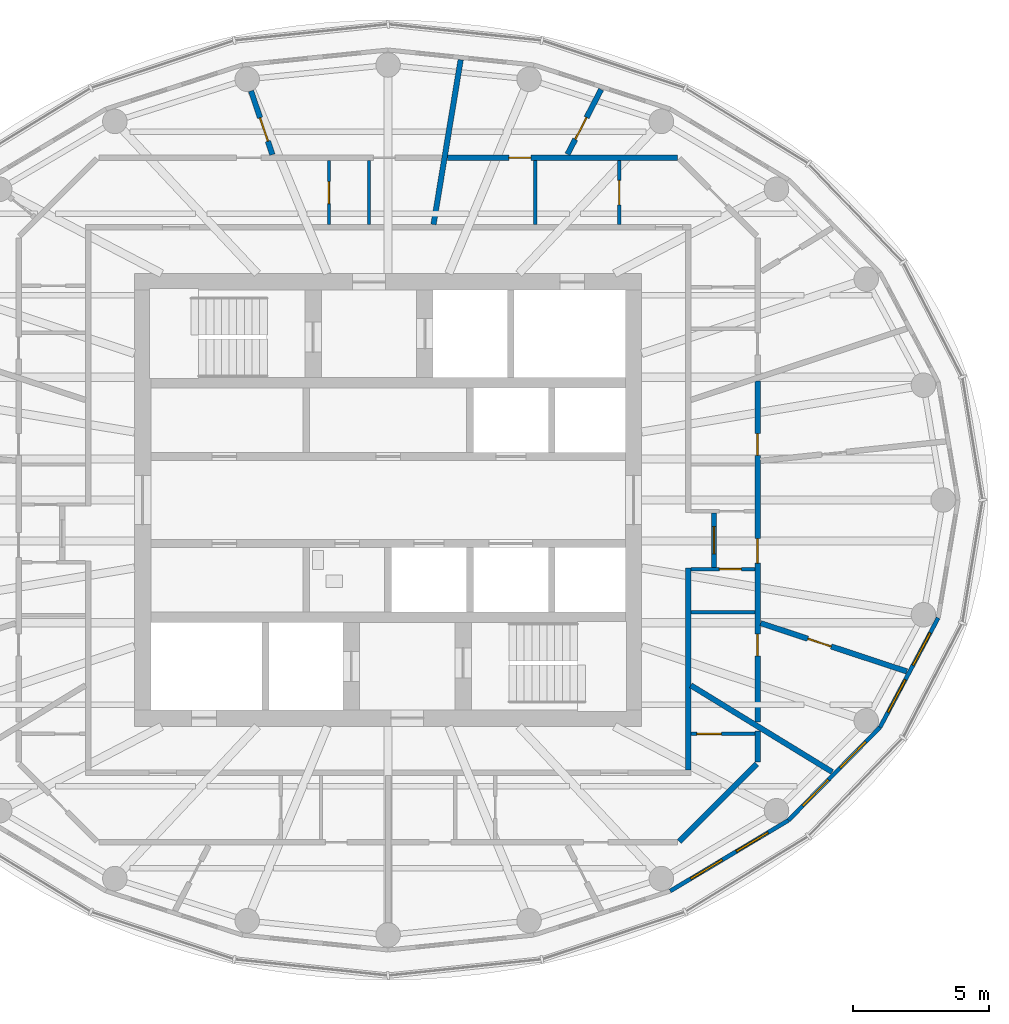
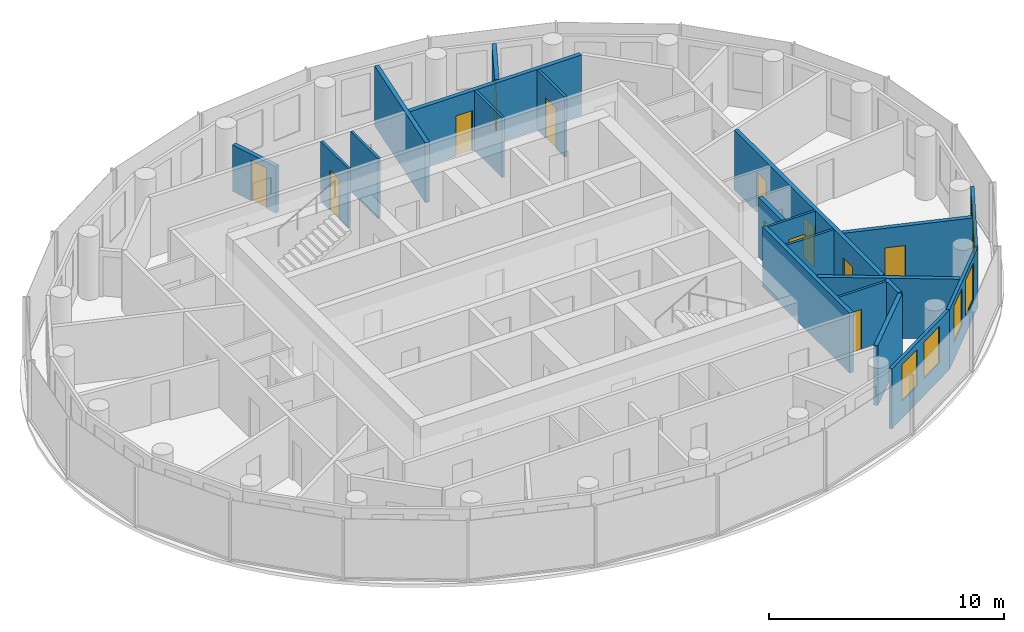
# One storey, part 8 of 12: 21 walls, 12 doors, 6 windows, 18 openings.
"""IFC4 building model written with IfcOpenShell, lengths in metres."""

from ifc_helpers import new_model, si_unit, direction, frame, frame_2d, origin, place, context, subcontext, project, spatial, rectangle, extrude, material, layer, layer_set, type_object, element, fill, save


model = new_model("IFC4")

# Units and contexts
model_context = context("Model", 3, precision=1e-05, world=origin(), true_north=direction((0.0, 1.0)))
body_context = subcontext(model_context, "Body", "Model", "MODEL_VIEW")
ifc_project = project(units=[si_unit("LENGTHUNIT", "METRE"), si_unit("AREAUNIT", "SQUARE_METRE"), si_unit("VOLUMEUNIT", "CUBIC_METRE"), si_unit("PLANEANGLEUNIT", "RADIAN"), si_unit("MASSUNIT", "GRAM", prefix="KILO")], contexts=[model_context])

# Site, building, storey
site_placement = place(None, origin())
site = spatial("IfcSite", under=ifc_project, at=site_placement, CompositionType="ELEMENT")
building_placement = place(site_placement, origin())
building = spatial("IfcBuilding", under=site, at=building_placement, Name="Hankou Lantern Tower", CompositionType="ELEMENT")
storey_placement = place(building_placement, frame((0.0, 0.0, 219.300048828125)))
storey = spatial("IfcBuildingStorey", under=building, at=storey_placement, Name="L59", CompositionType="ELEMENT", Elevation=219.300048828125)

# Wall, openings, windows
ifc_material_1 = material(Name="Aluminium spandrel panel on steel studs", Category="steel")
ifc_layer_1 = layer(ifc_material_1, 0.14990234375)
ifc_layer_set_1 = layer_set([ifc_layer_1], Name="Aluminium spandrel panel on steel studs")
wall_type_1 = type_object("IfcWallType", Name="EW1 INNER SKIN WALL 150", PredefinedType="ELEMENTEDWALL", material=ifc_layer_set_1)
wall_1_placement = place(storey_placement, frame((10.346435546875, -14.33642578125, 0.0), z_axis=(0.0, 0.0, 1.0), x_axis=(0.85822150553, 0.513279502265, 0.0)))
wall_1 = element("IfcWall", 1, at=wall_1_placement, inside=storey, type_object=wall_type_1, Name="Inner skin R21-R22 L59", PredefinedType="ELEMENTEDWALL", context=body_context, shape_type="SweptSolid", body=[
    extrude(rectangle(XDim=5.050048828125, YDim=0.14990234375, at=frame_2d((2.52490234375, 0.0))), origin(), (0.0, 0.0, 1.0), 3.119873046875),
])
opening_1_placement = place(wall_1_placement, frame((0.875, 0.0, 0.89990234375)))
opening_1 = element("IfcOpeningElement", 2, at=opening_1_placement, cuts=wall_1, Name="Opening W4", PredefinedType="OPENING", context=body_context, shape_type="SweptSolid", body=[
    extrude(rectangle(XDim=1.35009765625, YDim=1.89990234375, at=frame_2d((0.675048828125, 0.949951171875))), frame((0.0, 0.0849609375, 0.0), z_axis=(0.0, -1.0, 0.0), x_axis=(1.0, 0.0, 0.0)), (0.0, 0.0, 1.0), 0.169921875),
])
opening_2_placement = place(wall_1_placement, frame((2.824951171875, 0.0, 0.89990234375)))
opening_2 = element("IfcOpeningElement", 3, at=opening_2_placement, cuts=wall_1, Name="Opening W4", PredefinedType="OPENING", context=body_context, shape_type="SweptSolid", body=[
    extrude(rectangle(XDim=1.35009765625, YDim=1.89990234375, at=frame_2d((0.675048828125, 0.949951171875))), frame((0.0, 0.0849609375, 0.0), z_axis=(0.0, -1.0, 0.0), x_axis=(1.0, 0.0, 0.0)), (0.0, 0.0, 1.0), 0.169921875),
])
ifc_material_2 = material(Name="Aluminium framed double glazed window", Category="aluminium")
window_type = type_object("IfcWindowType", Name="W4 SUITE WINDOW 1350X1900", PartitioningType="DOUBLE_PANEL_VERTICAL", PredefinedType="WINDOW", material=ifc_material_2)
window_1_placement = place(opening_1_placement, origin())
window_1 = element("IfcWindow", 4, at=window_1_placement, inside=storey, type_object=window_type, Name="Window R21.1 L59", OverallHeight=1.89990234375, OverallWidth=1.35009765625, PartitioningType="SINGLE_PANEL", PredefinedType="WINDOW", context=body_context, shape_type="SweptSolid", body=[
    extrude(rectangle(XDim=1.35009765625, YDim=1.89990234375, at=frame_2d((0.675048828125, 0.949951171875))), frame((0.0, 0.030029296875, 0.0), z_axis=(0.0, -1.0, 0.0), x_axis=(1.0, 0.0, 0.0)), (0.0, 0.0, 1.0), 0.06005859375),
])
fill(opening_1, window_1)
window_2_placement = place(opening_2_placement, origin())
window_2 = element("IfcWindow", 5, at=window_2_placement, inside=storey, type_object=window_type, Name="Window R21.2 L59", OverallHeight=1.89990234375, OverallWidth=1.35009765625, PartitioningType="SINGLE_PANEL", PredefinedType="WINDOW", context=body_context, shape_type="SweptSolid", body=[
    extrude(rectangle(XDim=1.35009765625, YDim=1.89990234375, at=frame_2d((0.675048828125, 0.949951171875))), frame((0.0, 0.030029296875, 0.0), z_axis=(0.0, -1.0, 0.0), x_axis=(1.0, 0.0, 0.0)), (0.0, 0.0, 1.0), 0.06005859375),
])
fill(opening_2, window_2)

wall_2_placement = place(storey_placement, frame((14.680419921875, -11.744384765625, 0.0), z_axis=(0.0, 0.0, 1.0), x_axis=(0.701527379618, 0.712642501993, 0.0)))
wall_2 = element("IfcWall", 6, at=wall_2_placement, inside=storey, type_object=wall_type_1, Name="Inner skin R22-R23 L59", PredefinedType="ELEMENTEDWALL", context=body_context, shape_type="SweptSolid", body=[
    extrude(rectangle(XDim=4.788330078125, YDim=0.14990234375, at=frame_2d((2.39404296875, 0.0))), origin(), (0.0, 0.0, 1.0), 3.119873046875),
])
opening_3_placement = place(wall_2_placement, frame((0.744140625, 0.0, 0.89990234375)))
opening_3 = element("IfcOpeningElement", 7, at=opening_3_placement, cuts=wall_2, Name="Opening W4", PredefinedType="OPENING", context=body_context, shape_type="SweptSolid", body=[
    extrude(rectangle(XDim=1.35009765625, YDim=1.89990234375, at=frame_2d((0.675048828125, 0.949951171875))), frame((0.0, 0.0849609375, 0.0), z_axis=(0.0, -1.0, 0.0), x_axis=(1.0, 0.0, 0.0)), (0.0, 0.0, 1.0), 0.169921875),
])
opening_4_placement = place(wall_2_placement, frame((2.694091796875, 0.0, 0.89990234375)))
opening_4 = element("IfcOpeningElement", 8, at=opening_4_placement, cuts=wall_2, Name="Opening W4", PredefinedType="OPENING", context=body_context, shape_type="SweptSolid", body=[
    extrude(rectangle(XDim=1.35009765625, YDim=1.89990234375, at=frame_2d((0.675048828125, 0.949951171875))), frame((0.0, 0.0849609375, 0.0), z_axis=(0.0, -1.0, 0.0), x_axis=(1.0, 0.0, 0.0)), (0.0, 0.0, 1.0), 0.169921875),
])
window_3_placement = place(opening_3_placement, origin())
window_3 = element("IfcWindow", 9, at=window_3_placement, inside=storey, type_object=window_type, Name="Window R22.1 L59", OverallHeight=1.89990234375, OverallWidth=1.35009765625, PartitioningType="SINGLE_PANEL", PredefinedType="WINDOW", context=body_context, shape_type="SweptSolid", body=[
    extrude(rectangle(XDim=1.35009765625, YDim=1.89990234375, at=frame_2d((0.675048828125, 0.949951171875))), frame((0.0, 0.030029296875, 0.0), z_axis=(0.0, -1.0, 0.0), x_axis=(1.0, 0.0, 0.0)), (0.0, 0.0, 1.0), 0.06005859375),
])
fill(opening_3, window_3)
window_4_placement = place(opening_4_placement, origin())
window_4 = element("IfcWindow", 10, at=window_4_placement, inside=storey, type_object=window_type, Name="Window R22.2 L59", OverallHeight=1.89990234375, OverallWidth=1.35009765625, PartitioningType="SINGLE_PANEL", PredefinedType="WINDOW", context=body_context, shape_type="SweptSolid", body=[
    extrude(rectangle(XDim=1.35009765625, YDim=1.89990234375, at=frame_2d((0.675048828125, 0.949951171875))), frame((0.0, 0.030029296875, 0.0), z_axis=(0.0, -1.0, 0.0), x_axis=(1.0, 0.0, 0.0)), (0.0, 0.0, 1.0), 0.06005859375),
])
fill(opening_4, window_4)

wall_3_placement = place(storey_placement, frame((18.03955078125, -8.33203125, 0.0), z_axis=(0.0, 0.0, 1.0), x_axis=(0.469256152955, 0.883062094597, 0.0)))
wall_3 = element("IfcWall", 11, at=wall_3_placement, inside=storey, type_object=wall_type_1, Name="Inner skin R23-R24 L59", PredefinedType="ELEMENTEDWALL", context=body_context, shape_type="SweptSolid", body=[
    extrude(rectangle(XDim=4.539306640625, YDim=0.14990234375, at=frame_2d((2.26953125, 0.0))), origin(), (0.0, 0.0, 1.0), 3.119873046875),
])
opening_5_placement = place(wall_3_placement, frame((0.61962890625, 0.0, 0.89990234375)))
opening_5 = element("IfcOpeningElement", 12, at=opening_5_placement, cuts=wall_3, Name="Opening W4", PredefinedType="OPENING", context=body_context, shape_type="SweptSolid", body=[
    extrude(rectangle(XDim=1.35009765625, YDim=1.89990234375, at=frame_2d((0.675048828125, 0.949951171875))), frame((0.0, 0.0849609375, 0.0), z_axis=(0.0, -1.0, 0.0), x_axis=(1.0, 0.0, 0.0)), (0.0, 0.0, 1.0), 0.169921875),
])
opening_6_placement = place(wall_3_placement, frame((2.569580078125, 0.0, 0.89990234375)))
opening_6 = element("IfcOpeningElement", 13, at=opening_6_placement, cuts=wall_3, Name="Opening W4", PredefinedType="OPENING", context=body_context, shape_type="SweptSolid", body=[
    extrude(rectangle(XDim=1.35009765625, YDim=1.89990234375, at=frame_2d((0.675048828125, 0.949951171875))), frame((0.0, 0.0849609375, 0.0), z_axis=(0.0, -1.0, 0.0), x_axis=(1.0, 0.0, 0.0)), (0.0, 0.0, 1.0), 0.169921875),
])
window_5_placement = place(opening_5_placement, origin())
window_5 = element("IfcWindow", 14, at=window_5_placement, inside=storey, type_object=window_type, Name="Window R23.1 L59", OverallHeight=1.89990234375, OverallWidth=1.35009765625, PartitioningType="SINGLE_PANEL", PredefinedType="WINDOW", context=body_context, shape_type="SweptSolid", body=[
    extrude(rectangle(XDim=1.35009765625, YDim=1.89990234375, at=frame_2d((0.675048828125, 0.949951171875))), frame((0.0, 0.030029296875, 0.0), z_axis=(0.0, -1.0, 0.0), x_axis=(1.0, 0.0, 0.0)), (0.0, 0.0, 1.0), 0.06005859375),
])
fill(opening_5, window_5)
window_6_placement = place(opening_6_placement, origin())
window_6 = element("IfcWindow", 15, at=window_6_placement, inside=storey, type_object=window_type, Name="Window R23.2 L59", OverallHeight=1.89990234375, OverallWidth=1.35009765625, PartitioningType="SINGLE_PANEL", PredefinedType="WINDOW", context=body_context, shape_type="SweptSolid", body=[
    extrude(rectangle(XDim=1.35009765625, YDim=1.89990234375, at=frame_2d((0.675048828125, 0.949951171875))), frame((0.0, 0.030029296875, 0.0), z_axis=(0.0, -1.0, 0.0), x_axis=(1.0, 0.0, 0.0)), (0.0, 0.0, 1.0), 0.06005859375),
])
fill(opening_6, window_6)

# Walls
ifc_material_3 = material(Name="Masonry lightweight concrete block", Category="masonry")
ifc_layer_2 = layer(ifc_material_3, 0.199951171875)
ifc_layer_set_2 = layer_set([ifc_layer_2], Name="Masonry lightweight concrete block")
wall_type_2 = type_object("IfcWallType", Name="IW1 GUEST ROOM PARTY WALL 200", PredefinedType="PARTITIONING", material=ifc_layer_set_2)
wall_4_placement = place(storey_placement, frame((1.665771484375, 10.10009765625, 0.0), z_axis=(0.0, 0.0, 1.0), x_axis=(0.162710847913, 0.986673796131, 0.0)))
element("IfcWall", 16, at=wall_4_placement, inside=storey, type_object=wall_type_2, Name="Party wall R06-R07", PredefinedType="PARTITIONING", context=body_context, shape_type="SweptSolid", body=[
    extrude(rectangle(XDim=6.121826171875, YDim=0.199951171875, at=frame_2d((3.06103515625, 0.0))), origin(), (0.0, 0.0, 1.0), 3.119873046875),
])
wall_5_placement = place(storey_placement, frame((11.10009765625, -6.79736328125, 0.0), z_axis=(0.0, 0.0, 1.0), x_axis=(0.852799818179, -0.522237943963, 0.0)))
element("IfcWall", 17, at=wall_5_placement, inside=storey, type_object=wall_type_2, Name="Party wall R22-R23", PredefinedType="PARTITIONING", context=body_context, shape_type="SweptSolid", body=[
    extrude(rectangle(XDim=6.076904296875, YDim=0.199951171875, at=frame_2d((3.03857421875, 0.0))), origin(), (0.0, 0.0, 1.0), 3.119873046875),
])
ifc_material_4 = material(Name="Masonry lightweight concrete block", Category="masonry")
ifc_layer_3 = layer(ifc_material_4, 0.199951171875)
ifc_layer_set_3 = layer_set([ifc_layer_3], Name="Masonry lightweight concrete block")
wall_type_3 = type_object("IfcWallType", Name="IW2 CORRIDOR WALL 200", PredefinedType="PARTITIONING", material=ifc_layer_set_3)
wall_6_placement = place(storey_placement, frame((11.0, -9.89990234375, 0.0), z_axis=(0.0, 0.0, 1.0), x_axis=(0.0, 1.0, 0.0)))
element("IfcWall", 18, at=wall_6_placement, inside=storey, type_object=wall_type_3, Name="Corridor wall east", PredefinedType="PARTITIONING", context=body_context, shape_type="SweptSolid", body=[
    extrude(rectangle(XDim=7.41552734375, YDim=0.199951171875, at=frame_2d((3.707763671875, 0.0))), origin(), (0.0, 0.0, 1.0), 3.119873046875),
])

# Wall, opening, door
wall_7_placement = place(storey_placement, frame((11.949951171875, -2.474365234375, 0.0), z_axis=(0.0, 0.0, 1.0), x_axis=(0.0, 1.0, 0.0)))
wall_7 = element("IfcWall", 19, at=wall_7_placement, inside=storey, type_object=wall_type_3, Name="Suite entrance recess wall 5906", PredefinedType="PARTITIONING", context=body_context, shape_type="SweptSolid", body=[
    extrude(rectangle(XDim=2.0, YDim=0.199951171875, at=frame_2d((1.0, 0.0))), origin(), (0.0, 0.0, 1.0), 3.119873046875),
])
opening_7_placement = place(wall_7_placement, frame((0.5, 0.0, 0.0)))
opening_7 = element("IfcOpeningElement", 20, at=opening_7_placement, cuts=wall_7, Name="Opening D2", PredefinedType="OPENING", context=body_context, shape_type="SweptSolid", body=[
    extrude(rectangle(XDim=1.0, YDim=2.199951171875, at=frame_2d((0.5, 1.10009765625))), frame((0.0, 0.10986328125, 0.0), z_axis=(0.0, -1.0, 0.0), x_axis=(1.0, 0.0, 0.0)), (0.0, 0.0, 1.0), 0.219970703125),
])
ifc_material_5 = material(Name="Steel door leaf", Category="steel")
door_type_1 = type_object("IfcDoorType", Name="D2 SUITE DOOR 1000X2200", OperationType="SINGLE_SWING_LEFT", PredefinedType="DOOR", material=ifc_material_5)
door_1_placement = place(opening_7_placement, origin())
door_1 = element("IfcDoor", 21, at=door_1_placement, inside=storey, type_object=door_type_1, Name="Suite door 5906", OperationType="SINGLE_SWING_RIGHT", OverallHeight=2.199951171875, OverallWidth=1.0, PredefinedType="DOOR", context=body_context, shape_type="SweptSolid", body=[
    extrude(rectangle(XDim=1.0, YDim=2.199951171875, at=frame_2d((0.5, 1.10009765625))), frame((0.0, 0.02490234375, 0.0), z_axis=(0.0, -1.0, 0.0), x_axis=(1.0, 0.0, 0.0)), (0.0, 0.0, 1.0), 0.050048828125),
])
fill(opening_7, door_1)

ifc_material_6 = material(Name="Masonry lightweight concrete block", Category="masonry")
ifc_layer_4 = layer(ifc_material_6, 0.1201171875)
ifc_layer_set_4 = layer_set([ifc_layer_4], Name="Masonry lightweight concrete block")
wall_type_4 = type_object("IfcWallType", Name="IW3 BATHROOM WALL 120", PredefinedType="PARTITIONING", material=ifc_layer_set_4)
wall_8_placement = place(storey_placement, frame((8.474853515625, 10.10009765625, 0.0), z_axis=(0.0, 0.0, 1.0), x_axis=(0.0, 1.0, 0.0)))
wall_8 = element("IfcWall", 22, at=wall_8_placement, inside=storey, type_object=wall_type_4, Name="Box wall 5901 3", PredefinedType="PARTITIONING", context=body_context, shape_type="SweptSolid", body=[
    extrude(rectangle(XDim=2.349853515625, YDim=0.1201171875, at=frame_2d((1.1748046875, 0.0))), origin(), (0.0, 0.0, 1.0), 3.119873046875),
])
opening_8_placement = place(wall_8_placement, frame((0.719970703125, 0.0, 0.0)))
opening_8 = element("IfcOpeningElement", 23, at=opening_8_placement, cuts=wall_8, Name="Opening D27", PredefinedType="OPENING", context=body_context, shape_type="SweptSolid", body=[
    extrude(rectangle(XDim=0.89990234375, YDim=2.10009765625, at=frame_2d((0.449951171875, 1.050048828125))), frame((0.0, 0.070068359375, 0.0), z_axis=(0.0, -1.0, 0.0), x_axis=(1.0, 0.0, 0.0)), (0.0, 0.0, 1.0), 0.14013671875),
])
ifc_material_7 = material(Name="Timber door leaf", Category="wood")
door_type_2 = type_object("IfcDoorType", Name="D27 INTERNAL DOOR 900X2100", OperationType="SINGLE_SWING_LEFT", PredefinedType="DOOR", material=ifc_material_7)
door_2_placement = place(opening_8_placement, origin())
door_2 = element("IfcDoor", 24, at=door_2_placement, inside=storey, type_object=door_type_2, Name="Family suite 5901 walk-in wardrobe door", OperationType="SINGLE_SWING_LEFT", OverallHeight=2.10009765625, OverallWidth=0.89990234375, PredefinedType="DOOR", context=body_context, shape_type="SweptSolid", body=[
    extrude(rectangle(XDim=0.89990234375, YDim=2.10009765625, at=frame_2d((0.449951171875, 1.050048828125))), frame((0.0, 0.02490234375, 0.0), z_axis=(0.0, -1.0, 0.0), x_axis=(1.0, 0.0, 0.0)), (0.0, 0.0, 1.0), 0.050048828125),
])
fill(opening_8, door_2)

# Walls
for number, where, z_axis, x_axis, name in (
    (25, (5.392822265625, 10.10009765625, 0.0), (0.0, 0.0, 1.0), (0.0, 1.0, 0.0), "Box wall 5901 4"),
    (26, (-0.700439453125, 10.10009765625, 0.0), (0.0, 0.0, 1.0), (0.0, 1.0, 0.0), "Box wall 5902 1"),
):
    element("IfcWall", number, at=place(storey_placement, frame(where, z_axis=z_axis, x_axis=x_axis)), inside=storey, type_object=wall_type_4, Name=name, PredefinedType="PARTITIONING", context=body_context, shape_type="SweptSolid", body=[
        extrude(rectangle(XDim=2.349853515625, YDim=0.1201171875, at=frame_2d((1.1748046875, 0.0))), origin(), (0.0, 0.0, 1.0), 3.119873046875),
    ])

# Wall, opening, door
wall_9_placement = place(storey_placement, frame((-2.17041015625, 10.10009765625, 0.0), z_axis=(0.0, 0.0, 1.0), x_axis=(0.0, 1.0, 0.0)))
wall_9 = element("IfcWall", 27, at=wall_9_placement, inside=storey, type_object=wall_type_4, Name="Box wall 5902 2", PredefinedType="PARTITIONING", context=body_context, shape_type="SweptSolid", body=[
    extrude(rectangle(XDim=2.349853515625, YDim=0.1201171875, at=frame_2d((1.1748046875, 0.0))), origin(), (0.0, 0.0, 1.0), 3.119873046875),
])
opening_9_placement = place(wall_9_placement, frame((0.77001953125, 0.0, 0.0)))
opening_9 = element("IfcOpeningElement", 28, at=opening_9_placement, cuts=wall_9, Name="Opening D3", PredefinedType="OPENING", context=body_context, shape_type="SweptSolid", body=[
    extrude(rectangle(XDim=0.800048828125, YDim=2.10009765625, at=frame_2d((0.39990234375, 1.050048828125))), frame((0.0, 0.070068359375, 0.0), z_axis=(0.0, -1.0, 0.0), x_axis=(1.0, 0.0, 0.0)), (0.0, 0.0, 1.0), 0.14013671875),
])
ifc_material_8 = material(Name="Timber door leaf", Category="wood")
door_type_3 = type_object("IfcDoorType", Name="D3 BATHROOM DOOR 800X2100", OperationType="SINGLE_SWING_LEFT", PredefinedType="DOOR", material=ifc_material_8)
door_3_placement = place(opening_9_placement, origin())
door_3 = element("IfcDoor", 29, at=door_3_placement, inside=storey, type_object=door_type_3, Name="Family suite 5902 guest WC door", OperationType="SINGLE_SWING_LEFT", OverallHeight=2.10009765625, OverallWidth=0.800048828125, PredefinedType="DOOR", context=body_context, shape_type="SweptSolid", body=[
    extrude(rectangle(XDim=0.800048828125, YDim=2.10009765625, at=frame_2d((0.39990234375, 1.050048828125))), frame((0.0, 0.02490234375, 0.0), z_axis=(0.0, -1.0, 0.0), x_axis=(1.0, 0.0, 0.0)), (0.0, 0.0, 1.0), 0.050048828125),
])
fill(opening_9, door_3)

wall_10_placement = place(storey_placement, frame((11.10009765625, -8.57568359375, 0.0), z_axis=(0.0, 0.0, 1.0), x_axis=(1.0, 0.0, 0.0)))
wall_10 = element("IfcWall", 30, at=wall_10_placement, inside=storey, type_object=wall_type_4, Name="Box wall 5905 3", PredefinedType="PARTITIONING", context=body_context, shape_type="SweptSolid", body=[
    extrude(rectangle(XDim=2.349853515625, YDim=0.1201171875, at=frame_2d((1.1748046875, 0.0))), origin(), (0.0, 0.0, 1.0), 3.119873046875),
])
opening_10_placement = place(wall_10_placement, frame((0.219970703125, 0.0, 0.0)))
opening_10 = element("IfcOpeningElement", 31, at=opening_10_placement, cuts=wall_10, Name="Opening D27", PredefinedType="OPENING", context=body_context, shape_type="SweptSolid", body=[
    extrude(rectangle(XDim=0.89990234375, YDim=2.10009765625, at=frame_2d((0.449951171875, 1.050048828125))), frame((0.0, 0.070068359375, 0.0), z_axis=(0.0, -1.0, 0.0), x_axis=(1.0, 0.0, 0.0)), (0.0, 0.0, 1.0), 0.14013671875),
])
door_4_placement = place(opening_10_placement, origin())
door_4 = element("IfcDoor", 32, at=door_4_placement, inside=storey, type_object=door_type_2, Name="Suite 5905 walk-in wardrobe door", OperationType="SINGLE_SWING_LEFT", OverallHeight=2.10009765625, OverallWidth=0.89990234375, PredefinedType="DOOR", context=body_context, shape_type="SweptSolid", body=[
    extrude(rectangle(XDim=0.89990234375, YDim=2.10009765625, at=frame_2d((0.449951171875, 1.050048828125))), frame((0.0, 0.02490234375, 0.0), z_axis=(0.0, -1.0, 0.0), x_axis=(1.0, 0.0, 0.0)), (0.0, 0.0, 1.0), 0.050048828125),
])
fill(opening_10, door_4)

# Wall
wall_11_placement = place(storey_placement, frame((11.10009765625, -4.115234375, 0.0), z_axis=(0.0, 0.0, 1.0), x_axis=(1.0, 0.0, 0.0)))
element("IfcWall", 33, at=wall_11_placement, inside=storey, type_object=wall_type_4, Name="Box wall 5906 1", PredefinedType="PARTITIONING", context=body_context, shape_type="SweptSolid", body=[
    extrude(rectangle(XDim=2.349853515625, YDim=0.1201171875, at=frame_2d((1.1748046875, 0.0))), origin(), (0.0, 0.0, 1.0), 3.119873046875),
])

# Wall, opening, door
wall_12_placement = place(storey_placement, frame((11.10009765625, -2.534423828125, 0.0), z_axis=(0.0, 0.0, 1.0), x_axis=(1.0, 0.0, 0.0)))
wall_12 = element("IfcWall", 34, at=wall_12_placement, inside=storey, type_object=wall_type_4, Name="Box wall 5906 2", PredefinedType="PARTITIONING", context=body_context, shape_type="SweptSolid", body=[
    extrude(rectangle(XDim=2.349853515625, YDim=0.1201171875, at=frame_2d((1.1748046875, 0.0))), origin(), (0.0, 0.0, 1.0), 3.119873046875),
])
opening_11_placement = place(wall_12_placement, frame((1.050048828125, 0.0, 0.0)))
opening_11 = element("IfcOpeningElement", 35, at=opening_11_placement, cuts=wall_12, Name="Opening D3", PredefinedType="OPENING", context=body_context, shape_type="SweptSolid", body=[
    extrude(rectangle(XDim=0.800048828125, YDim=2.10009765625, at=frame_2d((0.39990234375, 1.050048828125))), frame((0.0, 0.070068359375, 0.0), z_axis=(0.0, -1.0, 0.0), x_axis=(1.0, 0.0, 0.0)), (0.0, 0.0, 1.0), 0.14013671875),
])
door_5_placement = place(opening_11_placement, origin())
door_5 = element("IfcDoor", 36, at=door_5_placement, inside=storey, type_object=door_type_3, Name="Family suite 5906 guest WC door", OperationType="SINGLE_SWING_LEFT", OverallHeight=2.10009765625, OverallWidth=0.800048828125, PredefinedType="DOOR", context=body_context, shape_type="SweptSolid", body=[
    extrude(rectangle(XDim=0.800048828125, YDim=2.10009765625, at=frame_2d((0.39990234375, 1.050048828125))), frame((0.0, 0.02490234375, 0.0), z_axis=(0.0, -1.0, 0.0), x_axis=(1.0, 0.0, 0.0)), (0.0, 0.0, 1.0), 0.050048828125),
])
fill(opening_11, door_5)

ifc_material_9 = material(Name="Masonry lightweight concrete block", Category="masonry")
ifc_layer_5 = layer(ifc_material_9, 0.199951171875)
ifc_layer_set_5 = layer_set([ifc_layer_5], Name="Masonry lightweight concrete block")
wall_type_5 = type_object("IfcWallType", Name="IW6 SUITE PARTITION 200", PredefinedType="PARTITIONING", material=ifc_layer_set_5)
wall_13_placement = place(storey_placement, frame((10.608642578125, 12.550048828125, 0.0), z_axis=(0.0, 0.0, 1.0), x_axis=(-1.0, 0.0, 0.0)))
wall_13 = element("IfcWall", 37, at=wall_13_placement, inside=storey, type_object=wall_type_5, Name="Suite foyer wall 5901", PredefinedType="PARTITIONING", context=body_context, shape_type="SweptSolid", body=[
    extrude(rectangle(XDim=8.4365234375, YDim=0.199951171875, at=frame_2d((4.21826171875, 0.0))), origin(), (0.0, 0.0, 1.0), 3.119873046875),
])
opening_12_placement = place(wall_13_placement, frame((5.375732421875, 0.0, 0.0)))
opening_12 = element("IfcOpeningElement", 38, at=opening_12_placement, cuts=wall_13, Name="Opening D3", PredefinedType="OPENING", context=body_context, shape_type="SweptSolid", body=[
    extrude(rectangle(XDim=0.800048828125, YDim=2.10009765625, at=frame_2d((0.39990234375, 1.050048828125))), frame((0.0, 0.10986328125, 0.0), z_axis=(0.0, -1.0, 0.0), x_axis=(1.0, 0.0, 0.0)), (0.0, 0.0, 1.0), 0.219970703125),
])
door_6_placement = place(opening_12_placement, origin())
door_6 = element("IfcDoor", 39, at=door_6_placement, inside=storey, type_object=door_type_3, Name="Family suite 5901 second bathroom door", OperationType="SINGLE_SWING_LEFT", OverallHeight=2.10009765625, OverallWidth=0.800048828125, PredefinedType="DOOR", context=body_context, shape_type="SweptSolid", body=[
    extrude(rectangle(XDim=0.800048828125, YDim=2.10009765625, at=frame_2d((0.39990234375, 1.050048828125))), frame((0.0, 0.02490234375, 0.0), z_axis=(0.0, -1.0, 0.0), x_axis=(1.0, 0.0, 0.0)), (0.0, 0.0, 1.0), 0.050048828125),
])
fill(opening_12, door_6)

wall_14_placement = place(storey_placement, frame((6.578125, 12.676513671875, 0.0), z_axis=(0.0, 0.0, 1.0), x_axis=(0.460620531465, 0.887597164255, 0.0)))
wall_14 = element("IfcWall", 40, at=wall_14_placement, inside=storey, type_object=wall_type_5, Name="Suite partition R05-R06", PredefinedType="PARTITIONING", context=body_context, shape_type="SweptSolid", body=[
    extrude(rectangle(XDim=2.677734375, YDim=0.199951171875, at=frame_2d((1.3388671875, 0.0))), origin(), (0.0, 0.0, 1.0), 3.119873046875),
])
opening_13_placement = place(wall_14_placement, frame((0.6201171875, 0.0, 0.0)))
opening_13 = element("IfcOpeningElement", 41, at=opening_13_placement, cuts=wall_14, Name="Opening D27", PredefinedType="OPENING", context=body_context, shape_type="SweptSolid", body=[
    extrude(rectangle(XDim=0.89990234375, YDim=2.10009765625, at=frame_2d((0.449951171875, 1.050048828125))), frame((0.0, 0.10986328125, 0.0), z_axis=(0.0, -1.0, 0.0), x_axis=(1.0, 0.0, 0.0)), (0.0, 0.0, 1.0), 0.219970703125),
])
door_7_placement = place(opening_13_placement, origin())
door_7 = element("IfcDoor", 42, at=door_7_placement, inside=storey, type_object=door_type_2, Name="Family suite 5901 second bedroom door", OperationType="SINGLE_SWING_LEFT", OverallHeight=2.10009765625, OverallWidth=0.89990234375, PredefinedType="DOOR", context=body_context, shape_type="SweptSolid", body=[
    extrude(rectangle(XDim=0.89990234375, YDim=2.10009765625, at=frame_2d((0.449951171875, 1.050048828125))), frame((0.0, 0.02490234375, 0.0), z_axis=(0.0, -1.0, 0.0), x_axis=(1.0, 0.0, 0.0)), (0.0, 0.0, 1.0), 0.050048828125),
])
fill(opening_13, door_7)

wall_15_placement = place(storey_placement, frame((-4.24169921875, 12.664306640625, 0.0), z_axis=(0.0, 0.0, 1.0), x_axis=(-0.317594928911, 0.948226481981, 0.0)))
wall_15 = element("IfcWall", 43, at=wall_15_placement, inside=storey, type_object=wall_type_5, Name="Suite partition R08", PredefinedType="PARTITIONING", context=body_context, shape_type="SweptSolid", body=[
    extrude(rectangle(XDim=2.463623046875, YDim=0.199951171875, at=frame_2d((1.23193359375, 0.0))), origin(), (0.0, 0.0, 1.0), 2.419921875),
])
opening_14_placement = place(wall_15_placement, frame((0.52001953125, 0.0, 0.0)))
opening_14 = element("IfcOpeningElement", 44, at=opening_14_placement, cuts=wall_15, Name="Opening D27", PredefinedType="OPENING", context=body_context, shape_type="SweptSolid", body=[
    extrude(rectangle(XDim=0.89990234375, YDim=2.10009765625, at=frame_2d((0.449951171875, 1.050048828125))), frame((0.0, 0.10986328125, 0.0), z_axis=(0.0, -1.0, 0.0), x_axis=(1.0, 0.0, 0.0)), (0.0, 0.0, 1.0), 0.219970703125),
])
door_8_placement = place(opening_14_placement, origin())
door_8 = element("IfcDoor", 45, at=door_8_placement, inside=storey, type_object=door_type_2, Name="Family suite 5902 bedroom door", OperationType="SINGLE_SWING_LEFT", OverallHeight=2.10009765625, OverallWidth=0.89990234375, PredefinedType="DOOR", context=body_context, shape_type="SweptSolid", body=[
    extrude(rectangle(XDim=0.89990234375, YDim=2.10009765625, at=frame_2d((0.449951171875, 1.050048828125))), frame((0.0, 0.02490234375, 0.0), z_axis=(0.0, -1.0, 0.0), x_axis=(1.0, 0.0, 0.0)), (0.0, 0.0, 1.0), 0.050048828125),
])
fill(opening_14, door_8)

# Walls
wall_16_placement = place(storey_placement, frame((10.67919921875, -12.520751953125, 0.0), z_axis=(0.0, 0.0, 1.0), x_axis=(0.707106781187, 0.707106781187, 0.0)))
element("IfcWall", 46, at=wall_16_placement, inside=storey, type_object=wall_type_5, Name="Suite foyer wall 5905", PredefinedType="PARTITIONING", context=body_context, shape_type="SweptSolid", body=[
    extrude(rectangle(XDim=4.0185546875, YDim=0.199951171875, at=frame_2d((2.00927734375, 0.0))), origin(), (0.0, 0.0, 1.0), 3.119873046875),
])
wall_17_placement = place(storey_placement, frame((13.550048828125, -9.608642578125, 0.0), z_axis=(0.0, 0.0, 1.0), x_axis=(0.0, 1.0, 0.0)))
element("IfcWall", 47, at=wall_17_placement, inside=storey, type_object=wall_type_5, Name="Suite foyer wall 5905", PredefinedType="PARTITIONING", context=body_context, shape_type="SweptSolid", body=[
    extrude(rectangle(XDim=1.147705078125, YDim=0.199951171875, at=frame_2d((0.57373046875, 0.0))), origin(), (0.0, 0.0, 1.0), 3.119873046875),
])

# Wall, openings, doors
wall_18_placement = place(storey_placement, frame((13.550048828125, -8.13916015625, 0.0), z_axis=(0.0, 0.0, 1.0), x_axis=(0.0, 1.0, 0.0)))
wall_18 = element("IfcWall", 48, at=wall_18_placement, inside=storey, type_object=wall_type_5, Name="Suite foyer wall 5906", PredefinedType="PARTITIONING", context=body_context, shape_type="SweptSolid", body=[
    extrude(rectangle(XDim=12.496337890625, YDim=0.199951171875, at=frame_2d((6.248046875, 0.0))), origin(), (0.0, 0.0, 1.0), 3.119873046875),
])
opening_15_placement = place(wall_18_placement, frame((2.419921875, 0.0, 0.0)))
opening_15 = element("IfcOpeningElement", 49, at=opening_15_placement, cuts=wall_18, Name="Opening D3", PredefinedType="OPENING", context=body_context, shape_type="SweptSolid", body=[
    extrude(rectangle(XDim=0.800048828125, YDim=2.10009765625, at=frame_2d((0.39990234375, 1.050048828125))), frame((0.0, 0.10986328125, 0.0), z_axis=(0.0, -1.0, 0.0), x_axis=(1.0, 0.0, 0.0)), (0.0, 0.0, 1.0), 0.219970703125),
])
opening_16_placement = place(wall_18_placement, frame((9.775634765625, 0.0, 0.0)))
opening_16 = element("IfcOpeningElement", 50, at=opening_16_placement, cuts=wall_18, Name="Opening D3", PredefinedType="OPENING", context=body_context, shape_type="SweptSolid", body=[
    extrude(rectangle(XDim=0.800048828125, YDim=2.10009765625, at=frame_2d((0.39990234375, 1.050048828125))), frame((0.0, 0.10986328125, 0.0), z_axis=(0.0, -1.0, 0.0), x_axis=(1.0, 0.0, 0.0)), (0.0, 0.0, 1.0), 0.219970703125),
])
opening_17_placement = place(wall_18_placement, frame((5.820068359375, 0.0, 0.0)))
opening_17 = element("IfcOpeningElement", 51, at=opening_17_placement, cuts=wall_18, Name="Opening D27", PredefinedType="OPENING", context=body_context, shape_type="SweptSolid", body=[
    extrude(rectangle(XDim=0.89990234375, YDim=2.10009765625, at=frame_2d((0.449951171875, 1.050048828125))), frame((0.0, 0.10986328125, 0.0), z_axis=(0.0, -1.0, 0.0), x_axis=(1.0, 0.0, 0.0)), (0.0, 0.0, 1.0), 0.219970703125),
])
door_9_placement = place(opening_17_placement, origin())
door_9 = element("IfcDoor", 52, at=door_9_placement, inside=storey, type_object=door_type_2, Name="Family suite 5906 living room door", OperationType="SINGLE_SWING_LEFT", OverallHeight=2.10009765625, OverallWidth=0.89990234375, PredefinedType="DOOR", context=body_context, shape_type="SweptSolid", body=[
    extrude(rectangle(XDim=0.89990234375, YDim=2.10009765625, at=frame_2d((0.449951171875, 1.050048828125))), frame((0.0, 0.02490234375, 0.0), z_axis=(0.0, -1.0, 0.0), x_axis=(1.0, 0.0, 0.0)), (0.0, 0.0, 1.0), 0.050048828125),
])
fill(opening_17, door_9)
door_10_placement = place(opening_15_placement, origin())
door_10 = element("IfcDoor", 53, at=door_10_placement, inside=storey, type_object=door_type_3, Name="Family suite 5906 bathroom door", OperationType="SINGLE_SWING_RIGHT", OverallHeight=2.10009765625, OverallWidth=0.800048828125, PredefinedType="DOOR", context=body_context, shape_type="SweptSolid", body=[
    extrude(rectangle(XDim=0.800048828125, YDim=2.10009765625, at=frame_2d((0.39990234375, 1.050048828125))), frame((0.0, 0.02490234375, 0.0), z_axis=(0.0, -1.0, 0.0), x_axis=(1.0, 0.0, 0.0)), (0.0, 0.0, 1.0), 0.050048828125),
])
fill(opening_15, door_10)
door_11_placement = place(opening_16_placement, origin())
door_11 = element("IfcDoor", 54, at=door_11_placement, inside=storey, type_object=door_type_3, Name="Family suite 5906 second bathroom door", OperationType="SINGLE_SWING_LEFT", OverallHeight=2.10009765625, OverallWidth=0.800048828125, PredefinedType="DOOR", context=body_context, shape_type="SweptSolid", body=[
    extrude(rectangle(XDim=0.800048828125, YDim=2.10009765625, at=frame_2d((0.39990234375, 1.050048828125))), frame((0.0, 0.02490234375, 0.0), z_axis=(0.0, -1.0, 0.0), x_axis=(1.0, 0.0, 0.0)), (0.0, 0.0, 1.0), 0.050048828125),
])
fill(opening_16, door_11)

# Wall, opening, door
wall_19_placement = place(storey_placement, frame((13.664306640625, -4.516357421875, 0.0), z_axis=(0.0, 0.0, 1.0), x_axis=(0.949481375941, -0.313823384632, 0.0)))
wall_19 = element("IfcWall", 55, at=wall_19_placement, inside=storey, type_object=wall_type_5, Name="Suite partition R23-R24", PredefinedType="PARTITIONING", context=body_context, shape_type="SweptSolid", body=[
    extrude(rectangle(XDim=5.637939453125, YDim=0.199951171875, at=frame_2d((2.81884765625, 0.0))), origin(), (0.0, 0.0, 1.0), 3.119873046875),
])
opening_18_placement = place(wall_19_placement, frame((1.820068359375, 0.0, 0.0)))
opening_18 = element("IfcOpeningElement", 56, at=opening_18_placement, cuts=wall_19, Name="Opening D27", PredefinedType="OPENING", context=body_context, shape_type="SweptSolid", body=[
    extrude(rectangle(XDim=0.89990234375, YDim=2.10009765625, at=frame_2d((0.449951171875, 1.050048828125))), frame((0.0, 0.10986328125, 0.0), z_axis=(0.0, -1.0, 0.0), x_axis=(1.0, 0.0, 0.0)), (0.0, 0.0, 1.0), 0.219970703125),
])
door_12_placement = place(opening_18_placement, origin())
door_12 = element("IfcDoor", 57, at=door_12_placement, inside=storey, type_object=door_type_2, Name="Family suite 5906 bedroom door", OperationType="SINGLE_SWING_LEFT", OverallHeight=2.10009765625, OverallWidth=0.89990234375, PredefinedType="DOOR", context=body_context, shape_type="SweptSolid", body=[
    extrude(rectangle(XDim=0.89990234375, YDim=2.10009765625, at=frame_2d((0.449951171875, 1.050048828125))), frame((0.0, 0.02490234375, 0.0), z_axis=(0.0, -1.0, 0.0), x_axis=(1.0, 0.0, 0.0)), (0.0, 0.0, 1.0), 0.050048828125),
])
fill(opening_18, door_12)

save(model, "model.ifc")
